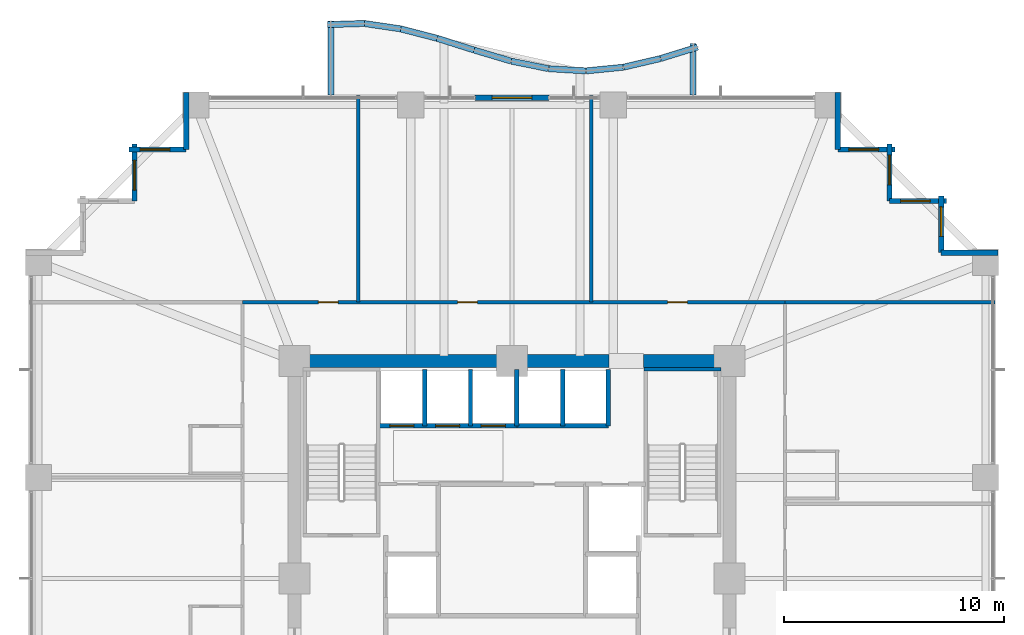
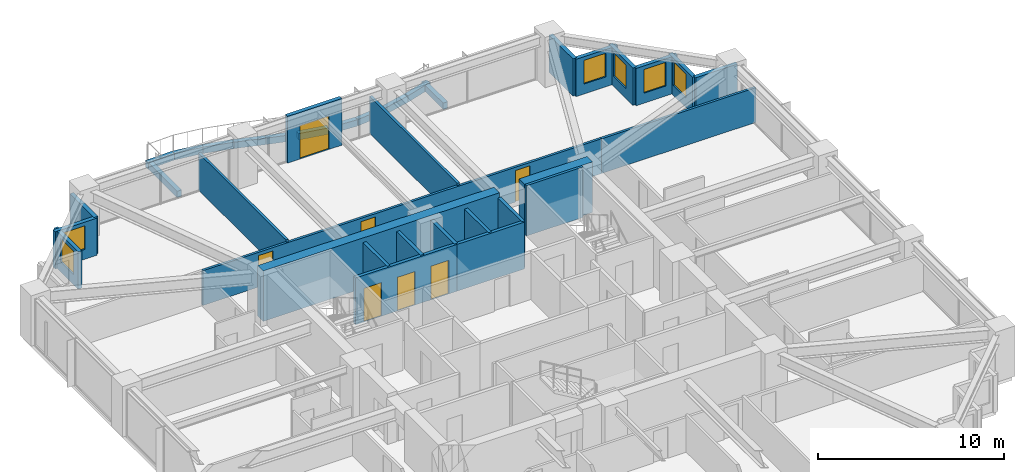
# One storey, part 35 of 38: 36 walls, 7 doors, 6 windows, 13 openings.
"""IFC4 building model written with IfcOpenShell, lengths in metres."""

from ifc_helpers import new_model, si_unit, direction, frame, frame_2d, origin, place, context, subcontext, project, spatial, rectangle, extrude, material, layer, layer_set, type_object, element, fill, save


model = new_model("IFC4")

# Units and contexts
model_context = context("Model", 3, precision=1e-05, world=origin(), true_north=direction((0.0, 1.0)))
body_context = subcontext(model_context, "Body", "Model", "MODEL_VIEW")
ifc_project = project(units=[si_unit("LENGTHUNIT", "METRE"), si_unit("AREAUNIT", "SQUARE_METRE"), si_unit("VOLUMEUNIT", "CUBIC_METRE"), si_unit("PLANEANGLEUNIT", "RADIAN"), si_unit("MASSUNIT", "GRAM", prefix="KILO")], contexts=[model_context])

# Site, building, storey
site_placement = place(None, origin())
site = spatial("IfcSite", under=ifc_project, at=site_placement, CompositionType="ELEMENT")
building_placement = place(site_placement, origin())
building = spatial("IfcBuilding", under=site, at=building_placement, Name="Kolvaren Belvedere", CompositionType="ELEMENT")
storey_placement = place(building_placement, frame((0.0, 0.0, 30.39990234375)))
storey = spatial("IfcBuildingStorey", under=building, at=storey_placement, Name="L08", CompositionType="ELEMENT", Elevation=30.39990234375)

# Walls
ifc_material_1 = material(Name="Concrete C60/75", Category="concrete")
ifc_layer_1 = layer(ifc_material_1, 0.60009765625)
ifc_layer_set_1 = layer_set([ifc_layer_1], Name="Concrete C60/75")
wall_type_1 = type_object("IfcWallType", Name="CW-CORE-600", PredefinedType="SHEAR", material=ifc_layer_set_1)
wall_1_placement = place(storey_placement, frame((-10.199951171875, 9.89990234375, 0.0), z_axis=(0.0, 0.0, 1.0), x_axis=(1.0, 0.0, 0.0)))
element("IfcWall", 1, at=wall_1_placement, inside=storey, type_object=wall_type_1, Name="L08 North Core Shear Wall 1", PredefinedType="SHEAR", context=body_context, shape_type="SweptSolid", body=[
    extrude(rectangle(XDim=14.619873046875, YDim=0.60009765625, at=frame_2d((7.31005859375, 0.0))), origin(), (0.0, 0.0, 1.0), 3.300048828125),
])
wall_2_placement = place(storey_placement, frame((5.97998046875, 9.89990234375, 0.0), z_axis=(0.0, 0.0, 1.0), x_axis=(1.0, 0.0, 0.0)))
element("IfcWall", 2, at=wall_2_placement, inside=storey, type_object=wall_type_1, Name="L08 North Core Shear Wall 2", PredefinedType="SHEAR", context=body_context, shape_type="SweptSolid", body=[
    extrude(rectangle(XDim=4.219970703125, YDim=0.60009765625, at=frame_2d((2.10986328125, 0.0))), origin(), (0.0, 0.0, 1.0), 3.300048828125),
])
ifc_material_2 = material(Name="Concrete C50/60", Category="concrete")
ifc_layer_2 = layer(ifc_material_2, 0.159912109375)
ifc_layer_set_2 = layer_set([ifc_layer_2], Name="Concrete C50/60")
wall_type_2 = type_object("IfcWallType", Name="CW-STAIR-160", PredefinedType="SHEAR", material=ifc_layer_set_2)
wall_3_placement = place(storey_placement, frame((6.0, 9.530029296875, 0.0), z_axis=(0.0, 0.0, 1.0), x_axis=(1.0, 0.0, 0.0)))
element("IfcWall", 3, at=wall_3_placement, inside=storey, type_object=wall_type_2, Name="L08 Stair ST-2 North Shear Wall", PredefinedType="SHEAR", context=body_context, shape_type="SweptSolid", body=[
    extrude(rectangle(XDim=3.52001953125, YDim=0.159912109375, at=frame_2d((1.760009765625, 0.0))), origin(), (0.0, 0.0, 1.0), 3.300048828125),
])

# Wall, openings, doors
ifc_material_3 = material(Name="Gypsum fire-rated partition assembly", Category="gypsum")
ifc_layer_3 = layer(ifc_material_3, 0.14990234375)
ifc_layer_set_3 = layer_set([ifc_layer_3], Name="Gypsum fire-rated partition assembly")
wall_type_3 = type_object("IfcWallType", Name="WL-CORR-150", PredefinedType="PARTITIONING", material=ifc_layer_set_3)
wall_4_placement = place(storey_placement, frame((-12.260009765625, 12.580078125, 0.0), z_axis=(0.0, 0.0, 1.0), x_axis=(1.0, 0.0, 0.0)))
wall_4 = element("IfcWall", 4, at=wall_4_placement, inside=storey, type_object=wall_type_3, Name="L08 North Corridor Wall", PredefinedType="PARTITIONING", context=body_context, shape_type="SweptSolid", body=[
    extrude(rectangle(XDim=24.679931640625, YDim=0.14990234375, at=frame_2d((12.33984375, 0.0))), origin(), (0.0, 0.0, 1.0), 2.272216796875),
])
opening_1_placement = place(wall_4_placement, frame((3.4443359375, 0.0, 0.0)))
opening_1 = element("IfcOpeningElement", 5, at=opening_1_placement, cuts=wall_4, Name="Opening D-INT90", PredefinedType="OPENING", context=body_context, shape_type="SweptSolid", body=[
    extrude(rectangle(XDim=0.89990234375, YDim=2.06005859375, at=frame_2d((0.449951171875, 1.030029296875))), frame((0.0, 0.0849609375, 0.0), z_axis=(0.0, -1.0, 0.0), x_axis=(1.0, 0.0, 0.0)), (0.0, 0.0, 1.0), 0.169921875),
])
opening_2_placement = place(wall_4_placement, frame((9.780029296875, 0.0, 0.0)))
opening_2 = element("IfcOpeningElement", 6, at=opening_2_placement, cuts=wall_4, Name="Opening D-INT90", PredefinedType="OPENING", context=body_context, shape_type="SweptSolid", body=[
    extrude(rectangle(XDim=0.89990234375, YDim=2.06005859375, at=frame_2d((0.449951171875, 1.030029296875))), frame((0.0, 0.0849609375, 0.0), z_axis=(0.0, -1.0, 0.0), x_axis=(1.0, 0.0, 0.0)), (0.0, 0.0, 1.0), 0.169921875),
])
opening_3_placement = place(wall_4_placement, frame((19.344970703125, 0.0, 0.0)))
opening_3 = element("IfcOpeningElement", 7, at=opening_3_placement, cuts=wall_4, Name="Opening D-INT90", PredefinedType="OPENING", context=body_context, shape_type="SweptSolid", body=[
    extrude(rectangle(XDim=0.89990234375, YDim=2.06005859375, at=frame_2d((0.449951171875, 1.030029296875))), frame((0.0, 0.0849609375, 0.0), z_axis=(0.0, -1.0, 0.0), x_axis=(1.0, 0.0, 0.0)), (0.0, 0.0, 1.0), 0.169921875),
])
ifc_material_4 = material(Name="Stained Pacific white oak", Category="timber")
door_type_1 = type_object("IfcDoorType", Name="DR-INT-900", OperationType="NOTDEFINED", PredefinedType="DOOR", material=ifc_material_4)
door_1_placement = place(opening_1_placement, origin())
door_1 = element("IfcDoor", 8, at=door_1_placement, inside=storey, type_object=door_type_1, Name="L08 Lounge 812 Door", OperationType="SINGLE_SWING_RIGHT", OverallHeight=2.06005859375, OverallWidth=0.89990234375, PredefinedType="DOOR", context=body_context, shape_type="SweptSolid", body=[
    extrude(rectangle(XDim=0.89990234375, YDim=2.06005859375, at=frame_2d((0.449951171875, 1.030029296875))), frame((0.0, 0.02490234375, 0.0), z_axis=(0.0, -1.0, 0.0), x_axis=(1.0, 0.0, 0.0)), (0.0, 0.0, 1.0), 0.050048828125),
])
fill(opening_1, door_1)
door_2_placement = place(opening_2_placement, origin())
door_2 = element("IfcDoor", 9, at=door_2_placement, inside=storey, type_object=door_type_1, Name="L08 Lounge 813 Door", OperationType="SINGLE_SWING_LEFT", OverallHeight=2.06005859375, OverallWidth=0.89990234375, PredefinedType="DOOR", context=body_context, shape_type="SweptSolid", body=[
    extrude(rectangle(XDim=0.89990234375, YDim=2.06005859375, at=frame_2d((0.449951171875, 1.030029296875))), frame((0.0, 0.02490234375, 0.0), z_axis=(0.0, -1.0, 0.0), x_axis=(1.0, 0.0, 0.0)), (0.0, 0.0, 1.0), 0.050048828125),
])
fill(opening_2, door_2)
door_3_placement = place(opening_3_placement, origin())
door_3 = element("IfcDoor", 10, at=door_3_placement, inside=storey, type_object=door_type_1, Name="L08 Lounge 814 Door", OperationType="SINGLE_SWING_RIGHT", OverallHeight=2.06005859375, OverallWidth=0.89990234375, PredefinedType="DOOR", context=body_context, shape_type="SweptSolid", body=[
    extrude(rectangle(XDim=0.89990234375, YDim=2.06005859375, at=frame_2d((0.449951171875, 1.030029296875))), frame((0.0, 0.02490234375, 0.0), z_axis=(0.0, -1.0, 0.0), x_axis=(1.0, 0.0, 0.0)), (0.0, 0.0, 1.0), 0.050048828125),
])
fill(opening_3, door_3)

# Wall
ifc_material_5 = material(Name="Insulated pale-metal facade wall assembly", Category="aluminium")
ifc_layer_4 = layer(ifc_material_5, 0.239990234375)
ifc_layer_set_4 = layer_set([ifc_layer_4], Name="Insulated pale-metal facade wall assembly")
wall_type_4 = type_object("IfcWallType", Name="WL-EXT-240", PredefinedType="STANDARD", material=ifc_layer_set_4)
wall_5_placement = place(storey_placement, frame((19.530029296875, 14.830078125, 0.0), z_axis=(0.0, 0.0, 1.0), x_axis=(1.0, 0.0, 0.0)))
element("IfcWall", 11, at=wall_5_placement, inside=storey, type_object=wall_type_4, Name="L08 Serrated Corner Facade Wall 9", PredefinedType="STANDARD", context=body_context, shape_type="SweptSolid", body=[
    extrude(rectangle(XDim=2.590087890625, YDim=0.239990234375, at=frame_2d((1.294921875, 0.0))), origin(), (0.0, 0.0, 1.0), 2.439208984375),
])

# Wall, opening, window
wall_6_placement = place(storey_placement, frame((19.530029296875, 17.419921875, 0.0), z_axis=(0.0, 0.0, 1.0), x_axis=(0.0, -1.0, 0.0)))
wall_6 = element("IfcWall", 12, at=wall_6_placement, inside=storey, type_object=wall_type_4, Name="L08 Serrated Corner Facade Wall 10", PredefinedType="STANDARD", context=body_context, shape_type="SweptSolid", body=[
    extrude(rectangle(XDim=2.58984375, YDim=0.239990234375, at=frame_2d((1.294921875, 0.0))), origin(), (0.0, 0.0, 1.0), 2.439208984375),
])
opening_4_placement = place(wall_6_placement, frame((0.5, 0.0, 0.64990234375)))
opening_4 = element("IfcOpeningElement", 13, at=opening_4_placement, cuts=wall_6, Name="Opening W-1350", PredefinedType="OPENING", context=body_context, shape_type="SweptSolid", body=[
    extrude(rectangle(XDim=1.35009765625, YDim=1.550048828125, at=frame_2d((0.675048828125, 0.77490234375))), frame((0.0, 0.1298828125, 0.0), z_axis=(0.0, -1.0, 0.0), x_axis=(1.0, 0.0, 0.0)), (0.0, 0.0, 1.0), 0.260009765625),
])
ifc_material_6 = material(Name="Low-iron triple insulated glass", Category="glass")
window_type = type_object("IfcWindowType", Name="WN-CORN-1350", PartitioningType="SINGLE_PANEL", PredefinedType="WINDOW", material=ifc_material_6)
window_1_placement = place(opening_4_placement, origin())
window_1 = element("IfcWindow", 14, at=window_1_placement, inside=storey, type_object=window_type, Name="L08 Serrated Corner Vision Window 10", OverallHeight=1.550048828125, OverallWidth=1.35009765625, PartitioningType="SINGLE_PANEL", PredefinedType="WINDOW", context=body_context, shape_type="SweptSolid", body=[
    extrude(rectangle(XDim=1.35009765625, YDim=1.550048828125, at=frame_2d((0.675048828125, 0.77490234375))), frame((0.0, 0.030029296875, 0.0), z_axis=(0.0, -1.0, 0.0), x_axis=(1.0, 0.0, 0.0)), (0.0, 0.0, 1.0), 0.06005859375),
])
fill(opening_4, window_1)

wall_7_placement = place(storey_placement, frame((17.179931640625, 17.179931640625, 0.0), z_axis=(0.0, 0.0, 1.0), x_axis=(1.0, 0.0, 0.0)))
wall_7 = element("IfcWall", 15, at=wall_7_placement, inside=storey, type_object=wall_type_4, Name="L08 Serrated Corner Facade Wall 11", PredefinedType="STANDARD", context=body_context, shape_type="SweptSolid", body=[
    extrude(rectangle(XDim=2.590087890625, YDim=0.239990234375, at=frame_2d((1.294921875, 0.0))), origin(), (0.0, 0.0, 1.0), 2.439208984375),
])
opening_5_placement = place(wall_7_placement, frame((0.5, 0.0, 0.64990234375)))
opening_5 = element("IfcOpeningElement", 16, at=opening_5_placement, cuts=wall_7, Name="Opening W-1350", PredefinedType="OPENING", context=body_context, shape_type="SweptSolid", body=[
    extrude(rectangle(XDim=1.35009765625, YDim=1.550048828125, at=frame_2d((0.675048828125, 0.77490234375))), frame((0.0, 0.1298828125, 0.0), z_axis=(0.0, -1.0, 0.0), x_axis=(1.0, 0.0, 0.0)), (0.0, 0.0, 1.0), 0.260009765625),
])
window_2_placement = place(opening_5_placement, origin())
window_2 = element("IfcWindow", 17, at=window_2_placement, inside=storey, type_object=window_type, Name="L08 Serrated Corner Vision Window 11", OverallHeight=1.550048828125, OverallWidth=1.35009765625, PartitioningType="SINGLE_PANEL", PredefinedType="WINDOW", context=body_context, shape_type="SweptSolid", body=[
    extrude(rectangle(XDim=1.35009765625, YDim=1.550048828125, at=frame_2d((0.675048828125, 0.77490234375))), frame((0.0, 0.030029296875, 0.0), z_axis=(0.0, -1.0, 0.0), x_axis=(1.0, 0.0, 0.0)), (0.0, 0.0, 1.0), 0.06005859375),
])
fill(opening_5, window_2)

wall_8_placement = place(storey_placement, frame((17.179931640625, 19.77001953125, 0.0), z_axis=(0.0, 0.0, 1.0), x_axis=(0.0, -1.0, 0.0)))
wall_8 = element("IfcWall", 18, at=wall_8_placement, inside=storey, type_object=wall_type_4, Name="L08 Serrated Corner Facade Wall 12", PredefinedType="STANDARD", context=body_context, shape_type="SweptSolid", body=[
    extrude(rectangle(XDim=2.590087890625, YDim=0.239990234375, at=frame_2d((1.294921875, 0.0))), origin(), (0.0, 0.0, 1.0), 2.439208984375),
])
opening_6_placement = place(wall_8_placement, frame((0.5, 0.0, 0.64990234375)))
opening_6 = element("IfcOpeningElement", 19, at=opening_6_placement, cuts=wall_8, Name="Opening W-1350", PredefinedType="OPENING", context=body_context, shape_type="SweptSolid", body=[
    extrude(rectangle(XDim=1.35009765625, YDim=1.550048828125, at=frame_2d((0.675048828125, 0.77490234375))), frame((0.0, 0.1298828125, 0.0), z_axis=(0.0, -1.0, 0.0), x_axis=(1.0, 0.0, 0.0)), (0.0, 0.0, 1.0), 0.260009765625),
])
window_3_placement = place(opening_6_placement, origin())
window_3 = element("IfcWindow", 20, at=window_3_placement, inside=storey, type_object=window_type, Name="L08 Serrated Corner Vision Window 12", OverallHeight=1.550048828125, OverallWidth=1.35009765625, PartitioningType="SINGLE_PANEL", PredefinedType="WINDOW", context=body_context, shape_type="SweptSolid", body=[
    extrude(rectangle(XDim=1.35009765625, YDim=1.550048828125, at=frame_2d((0.675048828125, 0.77490234375))), frame((0.0, 0.030029296875, 0.0), z_axis=(0.0, -1.0, 0.0), x_axis=(1.0, 0.0, 0.0)), (0.0, 0.0, 1.0), 0.06005859375),
])
fill(opening_6, window_3)

wall_9_placement = place(storey_placement, frame((14.830078125, 19.530029296875, 0.0), z_axis=(0.0, 0.0, 1.0), x_axis=(1.0, 0.0, 0.0)))
wall_9 = element("IfcWall", 21, at=wall_9_placement, inside=storey, type_object=wall_type_4, Name="L08 Serrated Corner Facade Wall 13", PredefinedType="STANDARD", context=body_context, shape_type="SweptSolid", body=[
    extrude(rectangle(XDim=2.58984375, YDim=0.239990234375, at=frame_2d((1.294921875, 0.0))), origin(), (0.0, 0.0, 1.0), 2.439208984375),
])
opening_7_placement = place(wall_9_placement, frame((0.5, 0.0, 0.64990234375)))
opening_7 = element("IfcOpeningElement", 22, at=opening_7_placement, cuts=wall_9, Name="Opening W-1350", PredefinedType="OPENING", context=body_context, shape_type="SweptSolid", body=[
    extrude(rectangle(XDim=1.35009765625, YDim=1.550048828125, at=frame_2d((0.675048828125, 0.77490234375))), frame((0.0, 0.1298828125, 0.0), z_axis=(0.0, -1.0, 0.0), x_axis=(1.0, 0.0, 0.0)), (0.0, 0.0, 1.0), 0.260009765625),
])
window_4_placement = place(opening_7_placement, origin())
window_4 = element("IfcWindow", 23, at=window_4_placement, inside=storey, type_object=window_type, Name="L08 Serrated Corner Vision Window 13", OverallHeight=1.550048828125, OverallWidth=1.35009765625, PartitioningType="SINGLE_PANEL", PredefinedType="WINDOW", context=body_context, shape_type="SweptSolid", body=[
    extrude(rectangle(XDim=1.35009765625, YDim=1.550048828125, at=frame_2d((0.675048828125, 0.77490234375))), frame((0.0, 0.030029296875, 0.0), z_axis=(0.0, -1.0, 0.0), x_axis=(1.0, 0.0, 0.0)), (0.0, 0.0, 1.0), 0.06005859375),
])
fill(opening_7, window_4)

# Wall
wall_10_placement = place(storey_placement, frame((14.830078125, 22.1201171875, 0.0), z_axis=(0.0, 0.0, 1.0), x_axis=(0.0, -1.0, 0.0)))
element("IfcWall", 24, at=wall_10_placement, inside=storey, type_object=wall_type_4, Name="L08 Serrated Corner Facade Wall 14", PredefinedType="STANDARD", context=body_context, shape_type="SweptSolid", body=[
    extrude(rectangle(XDim=2.590087890625, YDim=0.239990234375, at=frame_2d((1.294921875, 0.0))), origin(), (0.0, 0.0, 1.0), 2.439208984375),
])

# Wall, opening, door
wall_11_placement = place(storey_placement, frame((-1.679931640625, 21.8798828125, 0.0), z_axis=(0.0, 0.0, 1.0), x_axis=(1.0, 0.0, 0.0)))
wall_11 = element("IfcWall", 25, at=wall_11_placement, inside=storey, type_object=wall_type_4, Name="L08 North Terrace Portal Wall", PredefinedType="STANDARD", context=body_context, shape_type="SweptSolid", body=[
    extrude(rectangle(XDim=3.35986328125, YDim=0.239990234375, at=frame_2d((1.679931640625, 0.0))), origin(), (0.0, 0.0, 1.0), 3.06005859375),
])
opening_8_placement = place(wall_11_placement, frame((0.780029296875, 0.0, 0.0)))
opening_8 = element("IfcOpeningElement", 26, at=opening_8_placement, cuts=wall_11, Name="Opening DB-1800", PredefinedType="OPENING", context=body_context, shape_type="SweptSolid", body=[
    extrude(rectangle(XDim=1.800048828125, YDim=2.199951171875, at=frame_2d((0.89990234375, 1.10009765625))), frame((0.0, 0.1298828125, 0.0), z_axis=(0.0, -1.0, 0.0), x_axis=(1.0, 0.0, 0.0)), (0.0, 0.0, 1.0), 0.260009765625),
])
ifc_material_7 = material(Name="Thermally broken pale-metal aluminium & low-iron glass", Category="aluminium")
door_type_2 = type_object("IfcDoorType", Name="DR-BAL-1800", OperationType="DOUBLE_DOOR_SLIDING", PredefinedType="DOOR", material=ifc_material_7)
door_4_placement = place(opening_8_placement, origin())
door_4 = element("IfcDoor", 27, at=door_4_placement, inside=storey, type_object=door_type_2, Name="L08 North Planted Terrace Sliding Door", OperationType="DOUBLE_DOOR_SLIDING", OverallHeight=2.199951171875, OverallWidth=1.800048828125, PredefinedType="DOOR", context=body_context, shape_type="SweptSolid", body=[
    extrude(rectangle(XDim=1.800048828125, YDim=2.199951171875, at=frame_2d((0.89990234375, 1.10009765625))), frame((0.0, 0.02490234375, 0.0), z_axis=(0.0, -1.0, 0.0), x_axis=(1.0, 0.0, 0.0)), (0.0, 0.0, 1.0), 0.050048828125),
])
fill(opening_8, door_4)

# Wall
wall_12_placement = place(storey_placement, frame((-14.830078125, 19.530029296875, 0.0), z_axis=(0.0, 0.0, 1.0), x_axis=(0.0, 1.0, 0.0)))
element("IfcWall", 28, at=wall_12_placement, inside=storey, type_object=wall_type_4, Name="L08 Serrated Corner Facade Wall 16", PredefinedType="STANDARD", context=body_context, shape_type="SweptSolid", body=[
    extrude(rectangle(XDim=2.590087890625, YDim=0.239990234375, at=frame_2d((1.294921875, 0.0))), origin(), (0.0, 0.0, 1.0), 2.439208984375),
])

# Wall, opening, window
wall_13_placement = place(storey_placement, frame((-17.419921875, 19.530029296875, 0.0), z_axis=(0.0, 0.0, 1.0), x_axis=(1.0, 0.0, 0.0)))
wall_13 = element("IfcWall", 29, at=wall_13_placement, inside=storey, type_object=wall_type_4, Name="L08 Serrated Corner Facade Wall 17", PredefinedType="STANDARD", context=body_context, shape_type="SweptSolid", body=[
    extrude(rectangle(XDim=2.58984375, YDim=0.239990234375, at=frame_2d((1.294921875, 0.0))), origin(), (0.0, 0.0, 1.0), 2.439208984375),
])
opening_9_placement = place(wall_13_placement, frame((0.5, 0.0, 0.64990234375)))
opening_9 = element("IfcOpeningElement", 30, at=opening_9_placement, cuts=wall_13, Name="Opening W-1350", PredefinedType="OPENING", context=body_context, shape_type="SweptSolid", body=[
    extrude(rectangle(XDim=1.35009765625, YDim=1.550048828125, at=frame_2d((0.675048828125, 0.77490234375))), frame((0.0, 0.1298828125, 0.0), z_axis=(0.0, -1.0, 0.0), x_axis=(1.0, 0.0, 0.0)), (0.0, 0.0, 1.0), 0.260009765625),
])
window_5_placement = place(opening_9_placement, origin())
window_5 = element("IfcWindow", 31, at=window_5_placement, inside=storey, type_object=window_type, Name="L08 Serrated Corner Vision Window 17", OverallHeight=1.550048828125, OverallWidth=1.35009765625, PartitioningType="SINGLE_PANEL", PredefinedType="WINDOW", context=body_context, shape_type="SweptSolid", body=[
    extrude(rectangle(XDim=1.35009765625, YDim=1.550048828125, at=frame_2d((0.675048828125, 0.77490234375))), frame((0.0, 0.030029296875, 0.0), z_axis=(0.0, -1.0, 0.0), x_axis=(1.0, 0.0, 0.0)), (0.0, 0.0, 1.0), 0.06005859375),
])
fill(opening_9, window_5)

wall_14_placement = place(storey_placement, frame((-17.179931640625, 17.179931640625, 0.0), z_axis=(0.0, 0.0, 1.0), x_axis=(0.0, 1.0, 0.0)))
wall_14 = element("IfcWall", 32, at=wall_14_placement, inside=storey, type_object=wall_type_4, Name="L08 Serrated Corner Facade Wall 18", PredefinedType="STANDARD", context=body_context, shape_type="SweptSolid", body=[
    extrude(rectangle(XDim=2.590087890625, YDim=0.239990234375, at=frame_2d((1.294921875, 0.0))), origin(), (0.0, 0.0, 1.0), 2.439208984375),
])
opening_10_placement = place(wall_14_placement, frame((0.5, 0.0, 0.64990234375)))
opening_10 = element("IfcOpeningElement", 33, at=opening_10_placement, cuts=wall_14, Name="Opening W-1350", PredefinedType="OPENING", context=body_context, shape_type="SweptSolid", body=[
    extrude(rectangle(XDim=1.35009765625, YDim=1.550048828125, at=frame_2d((0.675048828125, 0.77490234375))), frame((0.0, 0.1298828125, 0.0), z_axis=(0.0, -1.0, 0.0), x_axis=(1.0, 0.0, 0.0)), (0.0, 0.0, 1.0), 0.260009765625),
])
window_6_placement = place(opening_10_placement, origin())
window_6 = element("IfcWindow", 34, at=window_6_placement, inside=storey, type_object=window_type, Name="L08 Serrated Corner Vision Window 18", OverallHeight=1.550048828125, OverallWidth=1.35009765625, PartitioningType="SINGLE_PANEL", PredefinedType="WINDOW", context=body_context, shape_type="SweptSolid", body=[
    extrude(rectangle(XDim=1.35009765625, YDim=1.550048828125, at=frame_2d((0.675048828125, 0.77490234375))), frame((0.0, 0.030029296875, 0.0), z_axis=(0.0, -1.0, 0.0), x_axis=(1.0, 0.0, 0.0)), (0.0, 0.0, 1.0), 0.06005859375),
])
fill(opening_10, window_6)

# Walls
ifc_material_8 = material(Name="Gypsum acoustic partition assembly", Category="gypsum")
ifc_layer_5 = layer(ifc_material_8, 0.14990234375)
ifc_layer_set_5 = layer_set([ifc_layer_5], Name="Gypsum acoustic partition assembly")
wall_type_5 = type_object("IfcWallType", Name="WL-PART-150", PredefinedType="PARTITIONING", material=ifc_layer_set_5)
wall_15_placement = place(storey_placement, frame((12.419921875, 12.580078125, 0.0), z_axis=(0.0, 0.0, 1.0), x_axis=(1.0, 0.0, 0.0)))
element("IfcWall", 35, at=wall_15_placement, inside=storey, type_object=wall_type_5, Name="L08 Wing Divider PW-L08-QNE", PredefinedType="PARTITIONING", context=body_context, shape_type="SweptSolid", body=[
    extrude(rectangle(XDim=9.56005859375, YDim=0.14990234375, at=frame_2d((4.780029296875, 0.0))), origin(), (0.0, 0.0, 1.0), 2.272216796875),
])
for number, where, z_axis, x_axis, name in (
    (36, (-7.0, 12.580078125, 0.0), (0.0, 0.0, 1.0), (0.0, 1.0, 0.0), "L08 North Suite Demising Wall 1"),
    (37, (3.60009765625, 12.580078125, 0.0), (0.0, 0.0, 1.0), (0.0, 1.0, 0.0), "L08 North Suite Demising Wall 2"),
):
    element("IfcWall", number, at=place(storey_placement, frame(where, z_axis=z_axis, x_axis=x_axis)), inside=storey, type_object=wall_type_5, Name=name, PredefinedType="PARTITIONING", context=body_context, shape_type="SweptSolid", body=[
        extrude(rectangle(XDim=9.39990234375, YDim=0.14990234375, at=frame_2d((4.699951171875, 0.0))), origin(), (0.0, 0.0, 1.0), 2.42919921875),
    ])
ifc_material_9 = material(Name="Precast concrete C40/50", Category="concrete")
ifc_layer_6 = layer(ifc_material_9, 0.300048828125)
ifc_layer_set_6 = layer_set([ifc_layer_6], Name="Precast concrete C40/50")
wall_type_6 = type_object("IfcWallType", Name="WL-PLANTER-300", PredefinedType="PARAPET", material=ifc_layer_set_6)
wall_16_placement = place(storey_placement, frame((8.239990234375, 22.0, -0.059814453125), z_axis=(0.0, 0.0, 1.0), x_axis=(0.0, 1.0, 0.0)))
element("IfcWall", 38, at=wall_16_placement, inside=storey, type_object=wall_type_6, Name="L08 Precast Structural Planter Wall BAL-N-11", PredefinedType="PARAPET", context=body_context, shape_type="SweptSolid", body=[
    extrude(rectangle(XDim=2.340087890625, YDim=0.280029296875, at=frame_2d((1.169921875, 0.0))), origin(), (0.0, 0.0, 1.0), 0.419921875),
])
wall_17_placement = place(storey_placement, frame((8.447265625, 24.187255859375, -0.059814453125), z_axis=(0.0, 0.0, 1.0), x_axis=(-0.95524013163, -0.295831524561, 0.0)))
element("IfcWall", 39, at=wall_17_placement, inside=storey, type_object=wall_type_6, Name="L08 Precast Structural Planter Wall BAL-N-12", PredefinedType="PARAPET", context=body_context, shape_type="SweptSolid", body=[
    extrude(rectangle(XDim=1.758544921875, YDim=0.280029296875, at=frame_2d((0.87939453125, 0.0))), origin(), (0.0, 0.0, 1.0), 0.419921875),
])
wall_18_placement = place(storey_placement, frame((6.75634765625, 23.663818359375, -0.059814453125), z_axis=(0.0, 0.0, 1.0), x_axis=(-0.973890253884, -0.227019323824, 0.0)))
element("IfcWall", 40, at=wall_18_placement, inside=storey, type_object=wall_type_6, Name="L08 Precast Structural Planter Wall BAL-N-13", PredefinedType="PARAPET", context=body_context, shape_type="SweptSolid", body=[
    extrude(rectangle(XDim=1.724853515625, YDim=0.280029296875, at=frame_2d((0.8623046875, 0.0))), origin(), (0.0, 0.0, 1.0), 0.419921875),
])
wall_19_placement = place(storey_placement, frame((5.0556640625, 23.268798828125, -0.059814453125), z_axis=(0.0, 0.0, 1.0), x_axis=(-0.995152499202, -0.098343801694, 0.0)))
element("IfcWall", 41, at=wall_19_placement, inside=storey, type_object=wall_type_6, Name="L08 Precast Structural Planter Wall BAL-N-14", PredefinedType="PARAPET", context=body_context, shape_type="SweptSolid", body=[
    extrude(rectangle(XDim=1.688232421875, YDim=0.280029296875, at=frame_2d((0.84423828125, 0.0))), origin(), (0.0, 0.0, 1.0), 0.419921875),
])
wall_20_placement = place(storey_placement, frame((3.350341796875, 23.102294921875, -0.059814453125), z_axis=(0.0, 0.0, 1.0), x_axis=(-0.998203631072, 0.059912527196, 0.0)))
element("IfcWall", 42, at=wall_20_placement, inside=storey, type_object=wall_type_6, Name="L08 Precast Structural Planter Wall BAL-N-15", PredefinedType="PARAPET", context=body_context, shape_type="SweptSolid", body=[
    extrude(rectangle(XDim=1.682861328125, YDim=0.280029296875, at=frame_2d((0.84130859375, 0.0))), origin(), (0.0, 0.0, 1.0), 0.419921875),
])
wall_21_placement = place(storey_placement, frame((1.64794921875, 23.2060546875, -0.059814453125), z_axis=(0.0, 0.0, 1.0), x_axis=(-0.979867779516, 0.199647526069, 0.0)))
element("IfcWall", 43, at=wall_21_placement, inside=storey, type_object=wall_type_6, Name="L08 Precast Structural Planter Wall BAL-N-16", PredefinedType="PARAPET", context=body_context, shape_type="SweptSolid", body=[
    extrude(rectangle(XDim=1.71435546875, YDim=0.280029296875, at=frame_2d((0.857177734375, 0.0))), origin(), (0.0, 0.0, 1.0), 0.419921875),
])
wall_22_placement = place(storey_placement, frame((-0.045654296875, 23.5517578125, -0.059814453125), z_axis=(0.0, 0.0, 1.0), x_axis=(-0.958525043221, 0.28500831833, 0.0)))
element("IfcWall", 44, at=wall_22_placement, inside=storey, type_object=wall_type_6, Name="L08 Precast Structural Planter Wall BAL-N-17", PredefinedType="PARAPET", context=body_context, shape_type="SweptSolid", body=[
    extrude(rectangle(XDim=1.752685546875, YDim=0.280029296875, at=frame_2d((0.87646484375, 0.0))), origin(), (0.0, 0.0, 1.0), 0.419921875),
])
wall_23_placement = place(storey_placement, frame((-1.728515625, 24.052001953125, -0.059814453125), z_axis=(0.0, 0.0, 1.0), x_axis=(-0.953142020151, 0.302523204768, 0.0)))
element("IfcWall", 45, at=wall_23_placement, inside=storey, type_object=wall_type_6, Name="L08 Precast Structural Planter Wall BAL-N-18", PredefinedType="PARAPET", context=body_context, shape_type="SweptSolid", body=[
    extrude(rectangle(XDim=1.762451171875, YDim=0.280029296875, at=frame_2d((0.88134765625, 0.0))), origin(), (0.0, 0.0, 1.0), 0.419921875),
])
wall_24_placement = place(storey_placement, frame((-3.400146484375, 24.582763671875, -0.059814453125), z_axis=(0.0, 0.0, 1.0), x_axis=(-0.968132209145, 0.250439664624, 0.0)))
element("IfcWall", 46, at=wall_24_placement, inside=storey, type_object=wall_type_6, Name="L08 Precast Structural Planter Wall BAL-N-19", PredefinedType="PARAPET", context=body_context, shape_type="SweptSolid", body=[
    extrude(rectangle(XDim=1.7353515625, YDim=0.280029296875, at=frame_2d((0.86767578125, 0.0))), origin(), (0.0, 0.0, 1.0), 0.419921875),
])
wall_25_placement = place(storey_placement, frame((-5.063232421875, 25.013916015625, -0.059814453125), z_axis=(0.0, 0.0, 1.0), x_axis=(-0.98929818871, 0.145907826437, 0.0)))
element("IfcWall", 47, at=wall_25_placement, inside=storey, type_object=wall_type_6, Name="L08 Precast Structural Planter Wall BAL-N-20", PredefinedType="PARAPET", context=body_context, shape_type="SweptSolid", body=[
    extrude(rectangle(XDim=1.6982421875, YDim=0.280029296875, at=frame_2d((0.84912109375, 0.0))), origin(), (0.0, 0.0, 1.0), 0.419921875),
])
wall_26_placement = place(storey_placement, frame((-6.715087890625, 25.260009765625, -0.059814453125), z_axis=(0.0, 0.0, 1.0), x_axis=(-0.999507673088, -0.031375331694, 0.0)))
element("IfcWall", 48, at=wall_26_placement, inside=storey, type_object=wall_type_6, Name="L08 Precast Structural Planter Wall BAL-N-21", PredefinedType="PARAPET", context=body_context, shape_type="SweptSolid", body=[
    extrude(rectangle(XDim=1.6806640625, YDim=0.280029296875, at=frame_2d((0.84033203125, 0.0))), origin(), (0.0, 0.0, 1.0), 0.419921875),
])
wall_27_placement = place(storey_placement, frame((-8.239990234375, 25.3671875, -0.059814453125), z_axis=(0.0, 0.0, 1.0), x_axis=(0.0, -1.0, 0.0)))
element("IfcWall", 49, at=wall_27_placement, inside=storey, type_object=wall_type_6, Name="L08 Precast Structural Planter Wall BAL-N-22", PredefinedType="PARAPET", context=body_context, shape_type="SweptSolid", body=[
    extrude(rectangle(XDim=3.3671875, YDim=0.280029296875, at=frame_2d((1.68359375, 0.0))), origin(), (0.0, 0.0, 1.0), 0.419921875),
])

# Wall, openings, doors
ifc_material_10 = material(Name="Concrete C50/60", Category="concrete")
ifc_layer_7 = layer(ifc_material_10, 0.199951171875)
ifc_layer_set_7 = layer_set([ifc_layer_7], Name="Concrete C50/60")
wall_type_7 = type_object("IfcWallType", Name="WL-SHAFT-200", PredefinedType="SOLIDWALL", material=ifc_layer_set_7)
wall_28_placement = place(storey_placement, frame((-6.080078125, 6.949951171875, 0.0), z_axis=(0.0, 0.0, 1.0), x_axis=(1.0, 0.0, 0.0)))
wall_28 = element("IfcWall", 50, at=wall_28_placement, inside=storey, type_object=wall_type_7, Name="L08 Low-Rise Lift Bank Front Wall", PredefinedType="SOLIDWALL", context=body_context, shape_type="SweptSolid", body=[
    extrude(rectangle(XDim=6.300048828125, YDim=0.199951171875, at=frame_2d((3.14990234375, 0.0))), origin(), (0.0, 0.0, 1.0), 3.06005859375),
])
opening_11_placement = place(wall_28_placement, frame((0.52001953125, 0.0, 0.0)))
opening_11 = element("IfcOpeningElement", 51, at=opening_11_placement, cuts=wall_28, Name="Opening LD-11", PredefinedType="OPENING", context=body_context, shape_type="SweptSolid", body=[
    extrude(rectangle(XDim=1.10009765625, YDim=2.199951171875, at=frame_2d((0.550048828125, 1.10009765625))), frame((0.0, 0.10986328125, 0.0), z_axis=(0.0, -1.0, 0.0), x_axis=(1.0, 0.0, 0.0)), (0.0, 0.0, 1.0), 0.219970703125),
])
opening_12_placement = place(wall_28_placement, frame((2.60009765625, 0.0, 0.0)))
opening_12 = element("IfcOpeningElement", 52, at=opening_12_placement, cuts=wall_28, Name="Opening LD-11", PredefinedType="OPENING", context=body_context, shape_type="SweptSolid", body=[
    extrude(rectangle(XDim=1.10009765625, YDim=2.199951171875, at=frame_2d((0.550048828125, 1.10009765625))), frame((0.0, 0.10986328125, 0.0), z_axis=(0.0, -1.0, 0.0), x_axis=(1.0, 0.0, 0.0)), (0.0, 0.0, 1.0), 0.219970703125),
])
opening_13_placement = place(wall_28_placement, frame((4.679931640625, 0.0, 0.0)))
opening_13 = element("IfcOpeningElement", 53, at=opening_13_placement, cuts=wall_28, Name="Opening LD-11", PredefinedType="OPENING", context=body_context, shape_type="SweptSolid", body=[
    extrude(rectangle(XDim=1.10009765625, YDim=2.199951171875, at=frame_2d((0.550048828125, 1.10009765625))), frame((0.0, 0.10986328125, 0.0), z_axis=(0.0, -1.0, 0.0), x_axis=(1.0, 0.0, 0.0)), (0.0, 0.0, 1.0), 0.219970703125),
])
ifc_material_11 = material(Name="Brushed stainless steel", Category="steel")
door_type_3 = type_object("IfcDoorType", Name="DR-LIFT-1100", OperationType="DOUBLE_DOOR_SLIDING", PredefinedType="DOOR", material=ifc_material_11)
door_5_placement = place(opening_11_placement, origin())
door_5 = element("IfcDoor", 54, at=door_5_placement, inside=storey, type_object=door_type_3, Name="L08 Passenger Lift P1 Landing Door", OperationType="DOUBLE_DOOR_SLIDING", OverallHeight=2.199951171875, OverallWidth=1.10009765625, PredefinedType="DOOR", context=body_context, shape_type="SweptSolid", body=[
    extrude(rectangle(XDim=1.10009765625, YDim=2.199951171875, at=frame_2d((0.550048828125, 1.10009765625))), frame((0.0, 0.02490234375, 0.0), z_axis=(0.0, -1.0, 0.0), x_axis=(1.0, 0.0, 0.0)), (0.0, 0.0, 1.0), 0.050048828125),
])
fill(opening_11, door_5)
door_6_placement = place(opening_12_placement, origin())
door_6 = element("IfcDoor", 55, at=door_6_placement, inside=storey, type_object=door_type_3, Name="L08 Passenger Lift P2 Landing Door", OperationType="DOUBLE_DOOR_SLIDING", OverallHeight=2.199951171875, OverallWidth=1.10009765625, PredefinedType="DOOR", context=body_context, shape_type="SweptSolid", body=[
    extrude(rectangle(XDim=1.10009765625, YDim=2.199951171875, at=frame_2d((0.550048828125, 1.10009765625))), frame((0.0, 0.02490234375, 0.0), z_axis=(0.0, -1.0, 0.0), x_axis=(1.0, 0.0, 0.0)), (0.0, 0.0, 1.0), 0.050048828125),
])
fill(opening_12, door_6)
door_7_placement = place(opening_13_placement, origin())
door_7 = element("IfcDoor", 56, at=door_7_placement, inside=storey, type_object=door_type_3, Name="L08 Passenger Lift P3 Landing Door", OperationType="DOUBLE_DOOR_SLIDING", OverallHeight=2.199951171875, OverallWidth=1.10009765625, PredefinedType="DOOR", context=body_context, shape_type="SweptSolid", body=[
    extrude(rectangle(XDim=1.10009765625, YDim=2.199951171875, at=frame_2d((0.550048828125, 1.10009765625))), frame((0.0, 0.02490234375, 0.0), z_axis=(0.0, -1.0, 0.0), x_axis=(1.0, 0.0, 0.0)), (0.0, 0.0, 1.0), 0.050048828125),
])
fill(opening_13, door_7)

# Walls
for number, where, z_axis, x_axis, name in (
    (57, (-3.969970703125, 6.949951171875, 0.0), (0.0, 0.0, 1.0), (0.0, 1.0, 0.0), "L08 Low-Rise Hoistway Divider 1"),
    (58, (-1.889892578125, 6.949951171875, 0.0), (0.0, 0.0, 1.0), (0.0, 1.0, 0.0), "L08 Low-Rise Hoistway Divider 2"),
    (59, (0.2099609375, 6.949951171875, 0.0), (0.0, 0.0, 1.0), (0.0, 1.0, 0.0), "L08 Low-Rise Hoistway Divider 3"),
):
    element("IfcWall", number, at=place(storey_placement, frame(where, z_axis=z_axis, x_axis=x_axis)), inside=storey, type_object=wall_type_7, Name=name, PredefinedType="SOLIDWALL", context=body_context, shape_type="SweptSolid", body=[
        extrude(rectangle(XDim=2.570068359375, YDim=0.199951171875, at=frame_2d((1.28515625, 0.0))), origin(), (0.0, 0.0, 1.0), 3.06005859375),
    ])
wall_29_placement = place(storey_placement, frame((0.219970703125, 6.949951171875, 0.0), z_axis=(0.0, 0.0, 1.0), x_axis=(1.0, 0.0, 0.0)))
element("IfcWall", 60, at=wall_29_placement, inside=storey, type_object=wall_type_7, Name="L08 Express Shuttle Hoistway Wall", PredefinedType="SOLIDWALL", context=body_context, shape_type="SweptSolid", body=[
    extrude(rectangle(XDim=4.179931640625, YDim=0.199951171875, at=frame_2d((2.08984375, 0.0))), origin(), (0.0, 0.0, 1.0), 3.06005859375),
])
for number, where, z_axis, x_axis, name in (
    (61, (4.3798828125, 6.949951171875, 0.0), (0.0, 0.0, 1.0), (0.0, 1.0, 0.0), "L08 Express Shuttle East Wall"),
    (62, (2.31005859375, 6.949951171875, 0.0), (0.0, 0.0, 1.0), (0.0, 1.0, 0.0), "L08 Express Shuttle Divider"),
):
    element("IfcWall", number, at=place(storey_placement, frame(where, z_axis=z_axis, x_axis=x_axis)), inside=storey, type_object=wall_type_7, Name=name, PredefinedType="SOLIDWALL", context=body_context, shape_type="SweptSolid", body=[
        extrude(rectangle(XDim=2.570068359375, YDim=0.199951171875, at=frame_2d((1.28515625, 0.0))), origin(), (0.0, 0.0, 1.0), 3.06005859375),
    ])

save(model, "model.ifc")
